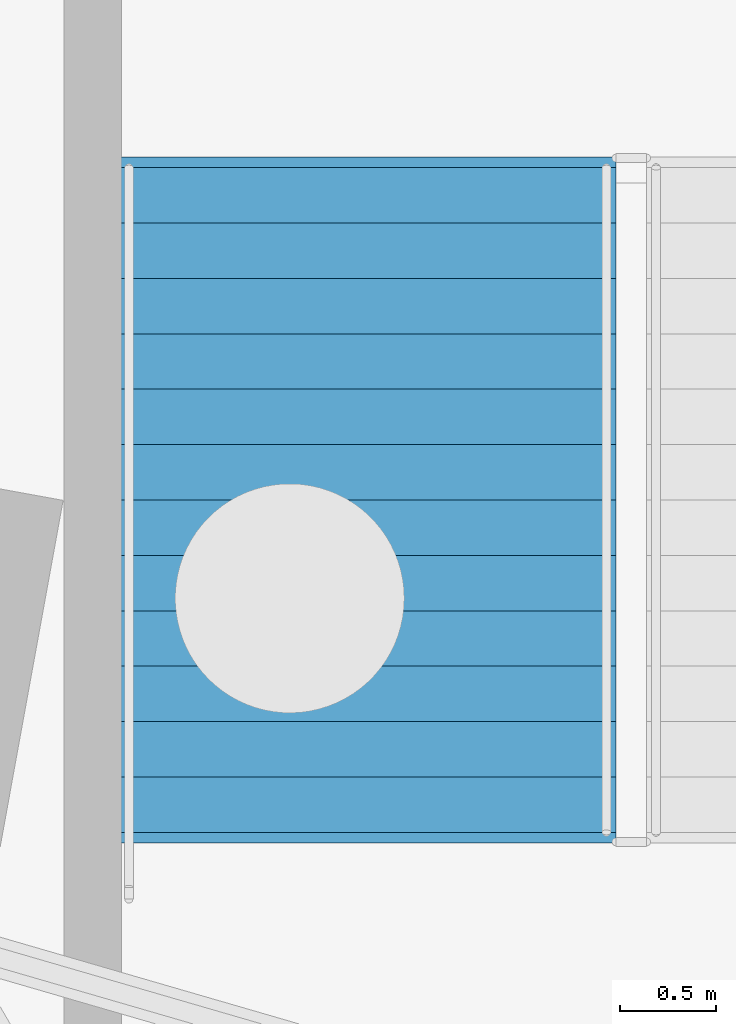
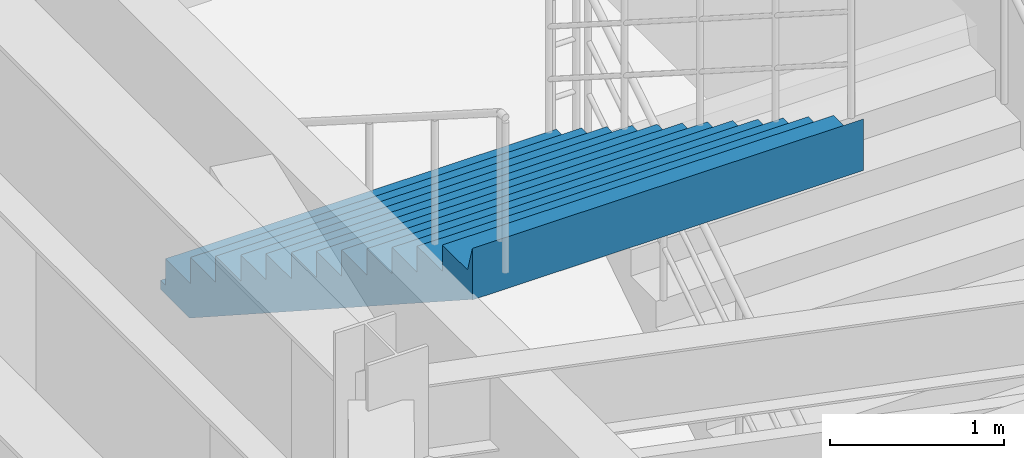
# One storey, part 54 of 68: 1 stair flight, 1 element without a shape of its own.
"""IFC4 building model written with IfcOpenShell, lengths in metres."""

from ifc_helpers import new_model, si_unit, direction, frame, origin, place, context, subcontext, project, spatial, polyline, outline, extrude, material, type_object, element, aggregate, save


model = new_model("IFC4")

# Units and contexts
model_context = context("Model", 3, precision=1e-05, world=origin(), true_north=direction((0.0, 1.0)))
body_context = subcontext(model_context, "Body", "Model", "MODEL_VIEW")
ifc_project = project(units=[si_unit("LENGTHUNIT", "METRE"), si_unit("AREAUNIT", "SQUARE_METRE"), si_unit("VOLUMEUNIT", "CUBIC_METRE"), si_unit("PLANEANGLEUNIT", "RADIAN"), si_unit("MASSUNIT", "GRAM", prefix="KILO")], contexts=[model_context])

# Site, building, storey
site_placement = place(None, origin())
site = spatial("IfcSite", under=ifc_project, at=site_placement, CompositionType="ELEMENT")
building_placement = place(site_placement, origin())
building = spatial("IfcBuilding", under=site, at=building_placement, Name="Cinderbank Siding Concert Hall", CompositionType="ELEMENT")
storey_placement = place(building_placement, frame((0.0, 0.0, -4.800048828125)))
storey = spatial("IfcBuildingStorey", under=building, at=storey_placement, Name="B1", CompositionType="ELEMENT", Elevation=-4.800048828125)

# Stair, stair flight
ifc_material = material(Name="Reinforced concrete AS 3600 N50 (50 MPa)", Category="concrete")
stair_type = type_object("IfcStairType", Name="STR-B Dogleg Exit Stair 2600mm", PredefinedType="HALF_TURN_STAIR", material=ifc_material)
stair_placement = place(storey_placement, origin())
stair = element("IfcStair", 1, at=stair_placement, inside=storey, type_object=stair_type, Name="B1 Fire-isolated Exit Stair ST-03", PredefinedType="HALF_TURN_STAIR")
stair_flight_type = type_object("IfcStairFlightType", Name="SFL-B Concrete Stair Flight 2600mm", PredefinedType="STRAIGHT", material=ifc_material)
stair_flight_placement = place(storey_placement, frame((143.139892578125, 44.3798828125, 2.400146484375), z_axis=(0.0, 0.0, 1.0), x_axis=(0.0, -1.0, 0.0)))
stair_flight = element("IfcStairFlight", 2, at=stair_flight_placement, type_object=stair_flight_type, Name="ST-03 flight 2", NumberOfRisers=13, NumberOfTreads=12, PredefinedType="STRAIGHT", RiserHeight=0.184615385, TreadLength=0.29, context=body_context, shape_type="SweptSolid", body=[
    extrude(outline(polyline([(0.0, 0.0), (0.0, 0.1845703125), (0.2900390625, 0.1845703125), (0.2900390625, 0.369140625), (0.580078125, 0.369140625), (0.580078125, 0.553955078125), (0.8701171875, 0.553955078125), (0.8701171875, 0.738525390625), (1.159912109375, 0.738525390625), (1.159912109375, 0.923095703125), (1.449951171875, 0.923095703125), (1.449951171875, 1.107666015625), (1.739990234375, 1.107666015625), (1.739990234375, 1.292236328125), (2.030029296875, 1.292236328125), (2.030029296875, 1.476806640625), (2.320068359375, 1.476806640625), (2.320068359375, 1.66162109375), (2.610107421875, 1.66162109375), (2.610107421875, 1.84619140625), (2.89990234375, 1.84619140625), (2.89990234375, 2.03076171875), (3.18994140625, 2.03076171875), (3.18994140625, 2.21533203125), (3.47998046875, 2.21533203125), (3.534912109375, 2.39990234375), (3.534912109375, 2.03759765625), (3.53466796875, 2.037841796875), (3.53466796875, 2.0380859375), (3.53466796875, 2.038330078125), (3.53466796875, 2.03857421875), (3.53466796875, 2.038818359375), (3.53466796875, 2.0390625), (3.53466796875, 2.039306640625), (3.53466796875, 2.03955078125), (3.53466796875, 2.039794921875), (3.53466796875, 2.0400390625), (3.53466796875, 2.040283203125), (3.53466796875, 2.04052734375), (3.534423828125, 2.04052734375), (3.534423828125, 2.040283203125), (3.534423828125, 2.0400390625), (3.534423828125, 2.039794921875), (3.534423828125, 2.03955078125), (3.534423828125, 2.039306640625), (3.534423828125, 2.0390625), (3.534423828125, 2.038818359375), (3.534423828125, 2.03857421875), (3.534423828125, 2.038330078125), (3.534423828125, 2.0380859375), (3.534423828125, 2.037841796875), (3.534423828125, 2.03759765625), (3.5341796875, 2.037841796875), (3.5341796875, 2.0380859375), (3.5341796875, 2.038330078125), (3.5341796875, 2.03857421875), (3.5341796875, 2.038818359375), (3.5341796875, 2.0390625), (3.5341796875, 2.039306640625), (3.5341796875, 2.03955078125), (3.5341796875, 2.039794921875), (3.5341796875, 2.0400390625), (3.5341796875, 2.040283203125), (3.5341796875, 2.04052734375), (3.533935546875, 2.04052734375), (3.533935546875, 2.040283203125), (3.533935546875, 2.0400390625), (3.533935546875, 2.039794921875), (3.533935546875, 2.03955078125), (3.533935546875, 2.039306640625), (3.533935546875, 2.0390625), (3.533935546875, 2.038818359375), (3.533935546875, 2.03857421875), (3.533935546875, 2.038330078125), (3.533935546875, 2.0380859375), (3.533935546875, 2.037841796875), (3.533935546875, 2.03759765625), (3.53369140625, 2.037841796875), (3.53369140625, 2.0380859375), (3.53369140625, 2.038330078125), (3.53369140625, 2.03857421875), (3.53369140625, 2.038818359375), (3.53369140625, 2.0390625), (3.53369140625, 2.039306640625), (3.53369140625, 2.03955078125), (3.53369140625, 2.039794921875), (3.53369140625, 2.0400390625), (3.53369140625, 2.040283203125), (3.53369140625, 2.04052734375), (3.533447265625, 2.04052734375), (3.533447265625, 2.040283203125), (3.533447265625, 2.0400390625), (3.533447265625, 2.039794921875), (3.533447265625, 2.03955078125), (3.533447265625, 2.039306640625), (3.533447265625, 2.0390625), (3.533447265625, 2.038818359375), (3.533447265625, 2.03857421875), (3.533447265625, 2.038330078125), (3.533447265625, 2.0380859375), (3.533447265625, 2.037841796875), (3.533447265625, 2.03759765625), (3.533203125, 2.037841796875), (3.533203125, 2.0380859375), (3.533203125, 2.038330078125), (3.533203125, 2.03857421875), (3.533203125, 2.038818359375), (3.533203125, 2.0390625), (3.533203125, 2.039306640625), (3.533203125, 2.03955078125), (3.533203125, 2.039794921875), (3.533203125, 2.0400390625), (3.533203125, 2.040283203125), (3.533203125, 2.04052734375), (3.532958984375, 2.04052734375), (3.532958984375, 2.040283203125), (3.532958984375, 2.0400390625), (3.532958984375, 2.039794921875), (3.532958984375, 2.03955078125), (3.532958984375, 2.039306640625), (3.532958984375, 2.0390625), (3.532958984375, 2.038818359375), (3.532958984375, 2.03857421875), (3.532958984375, 2.038330078125), (3.532958984375, 2.0380859375), (3.532958984375, 2.037841796875), (3.532958984375, 2.03759765625), (3.53271484375, 2.037841796875), (3.53271484375, 2.0380859375), (3.53271484375, 2.038330078125), (3.53271484375, 2.03857421875), (3.53271484375, 2.038818359375), (3.53271484375, 2.0390625), (3.53271484375, 2.039306640625), (3.53271484375, 2.03955078125), (3.53271484375, 2.039794921875), (3.53271484375, 2.0400390625), (3.53271484375, 2.040283203125), (3.53271484375, 2.04052734375), (3.532470703125, 2.04052734375), (3.532470703125, 2.040283203125), (3.532470703125, 2.0400390625), (3.532470703125, 2.039794921875), (3.532470703125, 2.03955078125), (3.532470703125, 2.039306640625), (3.532470703125, 2.0390625), (3.532470703125, 2.038818359375), (3.532470703125, 2.03857421875), (3.532470703125, 2.038330078125), (3.532470703125, 2.0380859375), (3.532470703125, 2.037841796875), (3.532470703125, 2.03759765625), (3.5322265625, 2.037841796875), (3.5322265625, 2.0380859375), (3.5322265625, 2.038330078125), (3.5322265625, 2.03857421875), (3.5322265625, 2.038818359375), (3.5322265625, 2.0390625), (3.5322265625, 2.039306640625), (3.5322265625, 2.03955078125), (3.5322265625, 2.039794921875), (3.5322265625, 2.0400390625), (3.5322265625, 2.040283203125), (3.5322265625, 2.04052734375), (3.531982421875, 2.04052734375), (3.531982421875, 2.040283203125), (3.531982421875, 2.0400390625), (3.531982421875, 2.039794921875), (3.531982421875, 2.03955078125), (3.531982421875, 2.039306640625), (3.531982421875, 2.0390625), (3.531982421875, 2.038818359375), (3.531982421875, 2.03857421875), (3.531982421875, 2.038330078125), (3.531982421875, 2.0380859375), (3.531982421875, 2.037841796875), (3.531982421875, 2.03759765625), (3.53173828125, 2.037841796875), (3.53173828125, 2.0380859375), (3.53173828125, 2.038330078125), (3.53173828125, 2.03857421875), (3.53173828125, 2.038818359375), (3.53173828125, 2.0390625), (3.53173828125, 2.039306640625), (3.53173828125, 2.03955078125), (3.53173828125, 2.039794921875), (3.53173828125, 2.0400390625), (3.53173828125, 2.040283203125), (3.53173828125, 2.04052734375), (3.531494140625, 2.04052734375), (3.531494140625, 2.040283203125), (3.531494140625, 2.0400390625), (3.531494140625, 2.039794921875), (3.531494140625, 2.03955078125), (3.531494140625, 2.039306640625), (3.531494140625, 2.0390625), (3.531494140625, 2.038818359375), (3.531494140625, 2.03857421875), (3.531494140625, 2.038330078125), (3.531494140625, 2.0380859375), (3.531494140625, 2.037841796875), (3.531494140625, 2.03759765625), (3.53125, 2.037841796875), (3.53125, 2.0380859375), (3.53125, 2.038330078125), (3.53125, 2.03857421875), (3.53125, 2.038818359375), (3.53125, 2.0390625), (3.53125, 2.039306640625), (3.53125, 2.03955078125), (3.53125, 2.039794921875), (3.53125, 2.0400390625), (3.53125, 2.040283203125), (3.53125, 2.04052734375), (3.531005859375, 2.04052734375), (3.531005859375, 2.040283203125), (3.531005859375, 2.0400390625), (3.531005859375, 2.039794921875), (3.531005859375, 2.03955078125), (3.531005859375, 2.039306640625), (3.531005859375, 2.0390625), (3.531005859375, 2.038818359375), (3.531005859375, 2.03857421875), (3.531005859375, 2.038330078125), (3.531005859375, 2.0380859375), (3.531005859375, 2.037841796875), (3.531005859375, 2.03759765625), (3.53076171875, 2.037841796875), (3.53076171875, 2.0380859375), (3.53076171875, 2.038330078125), (3.53076171875, 2.03857421875), (3.53076171875, 2.038818359375), (3.53076171875, 2.0390625), (3.53076171875, 2.039306640625), (3.53076171875, 2.03955078125), (3.53076171875, 2.039794921875), (3.53076171875, 2.0400390625), (3.53076171875, 2.040283203125), (3.53076171875, 2.04052734375), (3.530517578125, 2.04052734375), (3.530517578125, 2.040283203125), (3.530517578125, 2.0400390625), (3.530517578125, 2.039794921875), (3.530517578125, 2.03955078125), (3.530517578125, 2.039306640625), (3.530517578125, 2.0390625), (3.530517578125, 2.038818359375), (3.530517578125, 2.03857421875), (3.530517578125, 2.038330078125), (3.530517578125, 2.0380859375), (3.530517578125, 2.037841796875), (3.530517578125, 2.03759765625), (3.5302734375, 2.037841796875), (3.5302734375, 2.0380859375), (3.5302734375, 2.038330078125), (3.5302734375, 2.03857421875), (3.5302734375, 2.038818359375), (3.5302734375, 2.0390625), (3.5302734375, 2.039306640625), (3.5302734375, 2.03955078125), (3.5302734375, 2.039794921875), (3.5302734375, 2.0400390625), (3.5302734375, 2.040283203125), (3.5302734375, 2.04052734375), (3.530029296875, 2.04052734375), (3.530029296875, 2.040283203125), (3.530029296875, 2.0400390625), (3.530029296875, 2.039794921875), (3.530029296875, 2.03955078125), (3.530029296875, 2.039306640625), (3.530029296875, 2.0390625), (3.530029296875, 2.038818359375), (3.530029296875, 2.03857421875), (3.530029296875, 2.038330078125), (3.530029296875, 2.0380859375), (3.530029296875, 2.037841796875), (3.530029296875, 2.03759765625), (3.52978515625, 2.037841796875), (3.52978515625, 2.0380859375), (3.52978515625, 2.038330078125), (3.52978515625, 2.03857421875), (3.52978515625, 2.038818359375), (3.52978515625, 2.0390625), (3.52978515625, 2.039306640625), (3.52978515625, 2.03955078125), (3.52978515625, 2.039794921875), (3.52978515625, 2.0400390625), (3.52978515625, 2.040283203125), (3.52978515625, 2.04052734375), (3.529541015625, 2.04052734375), (3.529541015625, 2.040283203125), (3.529541015625, 2.0400390625), (3.529541015625, 2.039794921875), (3.529541015625, 2.03955078125), (3.529541015625, 2.039306640625), (3.529541015625, 2.0390625), (3.529541015625, 2.038818359375), (3.529541015625, 2.03857421875), (3.529541015625, 2.038330078125), (3.529541015625, 2.0380859375), (3.529541015625, 2.037841796875), (3.529541015625, 2.03759765625), (3.529296875, 2.037841796875), (3.529296875, 2.0380859375), (3.529296875, 2.038330078125), (3.529296875, 2.03857421875), (3.529296875, 2.038818359375), (3.529296875, 2.0390625), (3.529296875, 2.039306640625), (3.529296875, 2.03955078125), (3.529296875, 2.039794921875), (3.529296875, 2.0400390625), (3.529296875, 2.040283203125), (3.529296875, 2.04052734375), (3.529052734375, 2.04052734375), (3.529052734375, 2.040283203125), (3.529052734375, 2.0400390625), (3.529052734375, 2.039794921875), (3.529052734375, 2.03955078125), (3.529052734375, 2.039306640625), (3.529052734375, 2.0390625), (3.529052734375, 2.038818359375), (3.529052734375, 2.03857421875), (3.529052734375, 2.038330078125), (3.529052734375, 2.0380859375), (3.529052734375, 2.037841796875), (3.529052734375, 2.03759765625), (3.52880859375, 2.037841796875), (3.52880859375, 2.0380859375), (3.52880859375, 2.038330078125), (3.52880859375, 2.03857421875), (3.52880859375, 2.038818359375), (3.52880859375, 2.0390625), (3.52880859375, 2.039306640625), (3.52880859375, 2.03955078125), (3.52880859375, 2.039794921875), (3.52880859375, 2.0400390625), (3.52880859375, 2.040283203125), (3.52880859375, 2.04052734375), (3.528564453125, 2.04052734375), (3.528564453125, 2.040283203125), (3.528564453125, 2.0400390625), (3.528564453125, 2.039794921875), (3.528564453125, 2.03955078125), (3.528564453125, 2.039306640625), (3.528564453125, 2.0390625), (3.528564453125, 2.038818359375), (3.528564453125, 2.03857421875), (3.528564453125, 2.038330078125), (3.528564453125, 2.0380859375), (3.528564453125, 2.037841796875), (3.528564453125, 2.03759765625), (0.279052734375, -0.06396484375), (-0.048583984375, -0.063720703125), (-0.048583984375, -0.0634765625), (-0.048583984375, -0.063232421875), (-0.048583984375, -0.06298828125), (-0.048583984375, -0.062744140625), (-0.048583984375, -0.0625), (-0.048583984375, -0.062255859375), (-0.048583984375, -0.06201171875), (-0.048583984375, -0.061767578125), (-0.048583984375, -0.0615234375), (-0.048583984375, -0.061279296875), (-0.048583984375, -0.06103515625), (-0.048828125, -0.06103515625), (-0.048828125, -0.061279296875), (-0.048828125, -0.0615234375), (-0.048828125, -0.061767578125), (-0.048828125, -0.06201171875), (-0.048828125, -0.062255859375), (-0.048828125, -0.0625), (-0.048828125, -0.062744140625), (-0.048828125, -0.06298828125), (-0.048828125, -0.063232421875), (-0.048828125, -0.0634765625), (-0.048828125, -0.063720703125), (-0.048828125, -0.06396484375), (-0.049072265625, -0.063720703125), (-0.049072265625, -0.0634765625), (-0.049072265625, -0.063232421875), (-0.049072265625, -0.06298828125), (-0.049072265625, -0.062744140625), (-0.049072265625, -0.0625), (-0.049072265625, -0.062255859375), (-0.049072265625, -0.06201171875), (-0.049072265625, -0.061767578125), (-0.049072265625, -0.0615234375), (-0.049072265625, -0.061279296875), (-0.049072265625, -0.06103515625), (-0.04931640625, -0.06103515625), (-0.04931640625, -0.061279296875), (-0.04931640625, -0.0615234375), (-0.04931640625, -0.061767578125), (-0.04931640625, -0.06201171875), (-0.04931640625, -0.062255859375), (-0.04931640625, -0.0625), (-0.04931640625, -0.062744140625), (-0.04931640625, -0.06298828125), (-0.04931640625, -0.063232421875), (-0.04931640625, -0.0634765625), (-0.04931640625, -0.063720703125), (-0.04931640625, -0.06396484375), (-0.049560546875, -0.063720703125), (-0.049560546875, -0.0634765625), (-0.049560546875, -0.063232421875), (-0.049560546875, -0.06298828125), (-0.049560546875, -0.062744140625), (-0.049560546875, -0.0625), (-0.049560546875, -0.062255859375), (-0.049560546875, -0.06201171875), (-0.049560546875, -0.061767578125), (-0.049560546875, -0.0615234375), (-0.049560546875, -0.061279296875), (-0.049560546875, -0.06103515625), (-0.0498046875, -0.06103515625), (-0.0498046875, -0.061279296875), (-0.0498046875, -0.0615234375), (-0.0498046875, -0.061767578125), (-0.0498046875, -0.06201171875), (-0.0498046875, -0.062255859375), (-0.0498046875, -0.0625), (-0.0498046875, -0.062744140625), (-0.0498046875, -0.06298828125), (-0.0498046875, -0.063232421875), (-0.0498046875, -0.0634765625), (-0.0498046875, -0.063720703125), (-0.0498046875, -0.06396484375), (-0.050048828125, -0.063720703125), (-0.050048828125, -0.0634765625), (-0.050048828125, -0.063232421875), (-0.050048828125, -0.06298828125), (-0.050048828125, -0.062744140625), (-0.050048828125, -0.0625), (-0.050048828125, -0.062255859375), (-0.050048828125, -0.06201171875), (-0.050048828125, -0.061767578125), (-0.050048828125, -0.0615234375), (-0.050048828125, -0.061279296875), (-0.050048828125, -0.06103515625), (-0.05029296875, -0.06103515625), (-0.05029296875, -0.061279296875), (-0.05029296875, -0.0615234375), (-0.05029296875, -0.061767578125), (-0.05029296875, -0.06201171875), (-0.05029296875, -0.062255859375), (-0.05029296875, -0.0625), (-0.05029296875, -0.062744140625), (-0.05029296875, -0.06298828125), (-0.05029296875, -0.063232421875), (-0.05029296875, -0.0634765625), (-0.05029296875, -0.063720703125), (-0.05029296875, -0.06396484375), (-0.050537109375, -0.063720703125), (-0.050537109375, -0.0634765625), (-0.050537109375, -0.063232421875), (-0.050537109375, -0.06298828125), (-0.050537109375, -0.062744140625), (-0.050537109375, -0.0625), (-0.050537109375, -0.062255859375), (-0.050537109375, -0.06201171875), (-0.050537109375, -0.061767578125), (-0.050537109375, -0.0615234375), (-0.050537109375, -0.061279296875), (-0.050537109375, -0.06103515625), (-0.05078125, -0.06103515625), (-0.05078125, -0.061279296875), (-0.05078125, -0.0615234375), (-0.05078125, -0.061767578125), (-0.05078125, -0.06201171875), (-0.05078125, -0.062255859375), (-0.05078125, -0.0625), (-0.05078125, -0.062744140625), (-0.05078125, -0.06298828125), (-0.05078125, -0.063232421875), (-0.05078125, -0.0634765625), (-0.05078125, -0.063720703125), (-0.05078125, -0.06396484375), (-0.051025390625, -0.063720703125), (-0.051025390625, -0.0634765625), (-0.051025390625, -0.063232421875), (-0.051025390625, -0.06298828125), (-0.051025390625, -0.062744140625), (-0.051025390625, -0.0625), (-0.051025390625, -0.062255859375), (-0.051025390625, -0.06201171875), (-0.051025390625, -0.061767578125), (-0.051025390625, -0.0615234375), (-0.051025390625, -0.061279296875), (-0.051025390625, -0.06103515625), (-0.05126953125, -0.06103515625), (-0.05126953125, -0.061279296875), (-0.05126953125, -0.0615234375), (-0.05126953125, -0.061767578125), (-0.05126953125, -0.06201171875), (-0.05126953125, -0.062255859375), (-0.05126953125, -0.0625), (-0.05126953125, -0.062744140625), (-0.05126953125, -0.06298828125), (-0.05126953125, -0.063232421875), (-0.05126953125, -0.0634765625), (-0.05126953125, -0.063720703125), (-0.05126953125, -0.06396484375), (-0.051513671875, -0.063720703125), (-0.051513671875, -0.0634765625), (-0.051513671875, -0.063232421875), (-0.051513671875, -0.06298828125), (-0.051513671875, -0.062744140625), (-0.051513671875, -0.0625), (-0.051513671875, -0.062255859375), (-0.051513671875, -0.06201171875), (-0.051513671875, -0.061767578125), (-0.051513671875, -0.0615234375), (-0.051513671875, -0.061279296875), (-0.051513671875, -0.06103515625), (-0.0517578125, -0.06103515625), (-0.0517578125, -0.061279296875), (-0.0517578125, -0.0615234375), (-0.0517578125, -0.061767578125), (-0.0517578125, -0.06201171875), (-0.0517578125, -0.062255859375), (-0.0517578125, -0.0625), (-0.0517578125, -0.062744140625), (-0.0517578125, -0.06298828125), (-0.0517578125, -0.063232421875), (-0.0517578125, -0.0634765625), (-0.0517578125, -0.063720703125), (-0.0517578125, -0.06396484375), (-0.052001953125, -0.063720703125), (-0.052001953125, -0.0634765625), (-0.052001953125, -0.063232421875), (-0.052001953125, -0.06298828125), (-0.052001953125, -0.062744140625), (-0.052001953125, -0.0625), (-0.052001953125, -0.062255859375), (-0.052001953125, -0.06201171875), (-0.052001953125, -0.061767578125), (-0.052001953125, -0.0615234375), (-0.052001953125, -0.061279296875), (-0.052001953125, -0.06103515625), (-0.05224609375, -0.06103515625), (-0.05224609375, -0.061279296875), (-0.05224609375, -0.0615234375), (-0.05224609375, -0.061767578125), (-0.05224609375, -0.06201171875), (-0.05224609375, -0.062255859375), (-0.05224609375, -0.0625), (-0.05224609375, -0.062744140625), (-0.05224609375, -0.06298828125), (-0.05224609375, -0.063232421875), (-0.05224609375, -0.0634765625), (-0.05224609375, -0.063720703125), (-0.05224609375, -0.06396484375), (-0.052490234375, -0.063720703125), (-0.052490234375, -0.0634765625), (-0.052490234375, -0.063232421875), (-0.052490234375, -0.06298828125), (-0.052490234375, -0.062744140625), (-0.052490234375, -0.0625), (-0.052490234375, -0.062255859375), (-0.052490234375, -0.06201171875), (-0.052490234375, -0.061767578125), (-0.052490234375, -0.0615234375), (-0.052490234375, -0.061279296875), (-0.052490234375, -0.06103515625), (-0.052734375, -0.06103515625), (-0.052734375, -0.061279296875), (-0.052734375, -0.0615234375), (-0.052734375, -0.061767578125), (-0.052734375, -0.06201171875), (-0.052734375, -0.062255859375), (-0.052734375, -0.0625), (-0.052734375, -0.062744140625), (-0.052734375, -0.06298828125), (-0.052734375, -0.063232421875), (-0.052734375, -0.0634765625), (-0.052734375, -0.063720703125), (-0.052734375, -0.06396484375), (-0.052978515625, -0.063720703125), (-0.052978515625, -0.0634765625), (-0.052978515625, -0.063232421875), (-0.052978515625, -0.06298828125), (-0.052978515625, -0.062744140625), (-0.052978515625, -0.0625), (-0.052978515625, -0.062255859375), (-0.052978515625, -0.06201171875), (-0.052978515625, -0.061767578125), (-0.052978515625, -0.0615234375), (-0.052978515625, -0.061279296875), (-0.052978515625, -0.06103515625), (-0.05322265625, -0.06103515625), (-0.05322265625, -0.061279296875), (-0.05322265625, -0.0615234375), (-0.05322265625, -0.061767578125), (-0.05322265625, -0.06201171875), (-0.05322265625, -0.062255859375), (-0.05322265625, -0.0625), (-0.05322265625, -0.062744140625), (-0.05322265625, -0.06298828125), (-0.05322265625, -0.063232421875), (-0.05322265625, -0.0634765625), (-0.05322265625, -0.063720703125), (-0.05322265625, -0.06396484375), (-0.053466796875, -0.063720703125), (-0.053466796875, -0.0634765625), (-0.053466796875, -0.063232421875), (-0.053466796875, -0.06298828125), (-0.053466796875, -0.062744140625), (-0.053466796875, -0.0625), (-0.053466796875, -0.062255859375), (-0.053466796875, -0.06201171875), (-0.053466796875, -0.061767578125), (-0.053466796875, -0.0615234375), (-0.053466796875, -0.061279296875), (-0.053466796875, -0.06103515625), (-0.0537109375, -0.06103515625), (-0.0537109375, -0.061279296875), (-0.0537109375, -0.0615234375), (-0.0537109375, -0.061767578125), (-0.0537109375, -0.06201171875), (-0.0537109375, -0.062255859375), (-0.0537109375, -0.0625), (-0.0537109375, -0.062744140625), (-0.0537109375, -0.06298828125), (-0.0537109375, -0.063232421875), (-0.0537109375, -0.0634765625), (-0.0537109375, -0.063720703125), (-0.0537109375, -0.06396484375), (-0.053955078125, -0.063720703125), (-0.053955078125, -0.0634765625), (-0.053955078125, -0.063232421875), (-0.053955078125, -0.06298828125), (-0.053955078125, -0.062744140625), (-0.053955078125, -0.0625), (-0.053955078125, -0.062255859375), (-0.053955078125, -0.06201171875), (-0.053955078125, -0.061767578125), (-0.053955078125, -0.0615234375), (-0.053955078125, -0.061279296875), (-0.053955078125, -0.06103515625), (-0.05419921875, -0.06103515625), (-0.05419921875, -0.061279296875), (-0.05419921875, -0.0615234375), (-0.05419921875, -0.061767578125), (-0.05419921875, -0.06201171875), (-0.05419921875, -0.062255859375), (-0.05419921875, -0.0625), (-0.05419921875, -0.062744140625), (-0.05419921875, -0.06298828125), (-0.05419921875, -0.063232421875), (-0.05419921875, -0.0634765625), (-0.05419921875, -0.063720703125), (-0.05419921875, -0.06396484375), (-0.054443359375, -0.063720703125), (-0.054443359375, -0.0634765625), (-0.054443359375, -0.063232421875), (-0.054443359375, -0.06298828125), (-0.054443359375, -0.062744140625), (-0.054443359375, -0.0625), (-0.054443359375, -0.062255859375), (-0.054443359375, -0.06201171875), (-0.054443359375, -0.061767578125), (-0.054443359375, -0.0615234375), (-0.054443359375, -0.061279296875), (-0.054443359375, -0.06103515625), (-0.0546875, -0.06103515625), (-0.0546875, -0.061279296875), (-0.0546875, -0.0615234375), (-0.0546875, -0.061767578125), (-0.0546875, -0.06201171875), (-0.0546875, -0.062255859375), (-0.0546875, -0.0625), (-0.0546875, -0.062744140625), (-0.0546875, -0.06298828125), (-0.0546875, -0.063232421875), (-0.0546875, -0.0634765625), (-0.0546875, -0.063720703125), (-0.0546875, -0.06396484375), (-0.054931640625, -0.06396484375), (-0.054931640625, 0.0), (0.0, 0.0)])), frame((0.0, 1.300048828125, 0.0), z_axis=(0.0, -1.0, 0.0), x_axis=(1.0, 0.0, 0.0)), (0.0, 0.0, 1.0), 2.60009765625),
])
aggregate(stair, [stair_flight])

save(model, "model.ifc")
